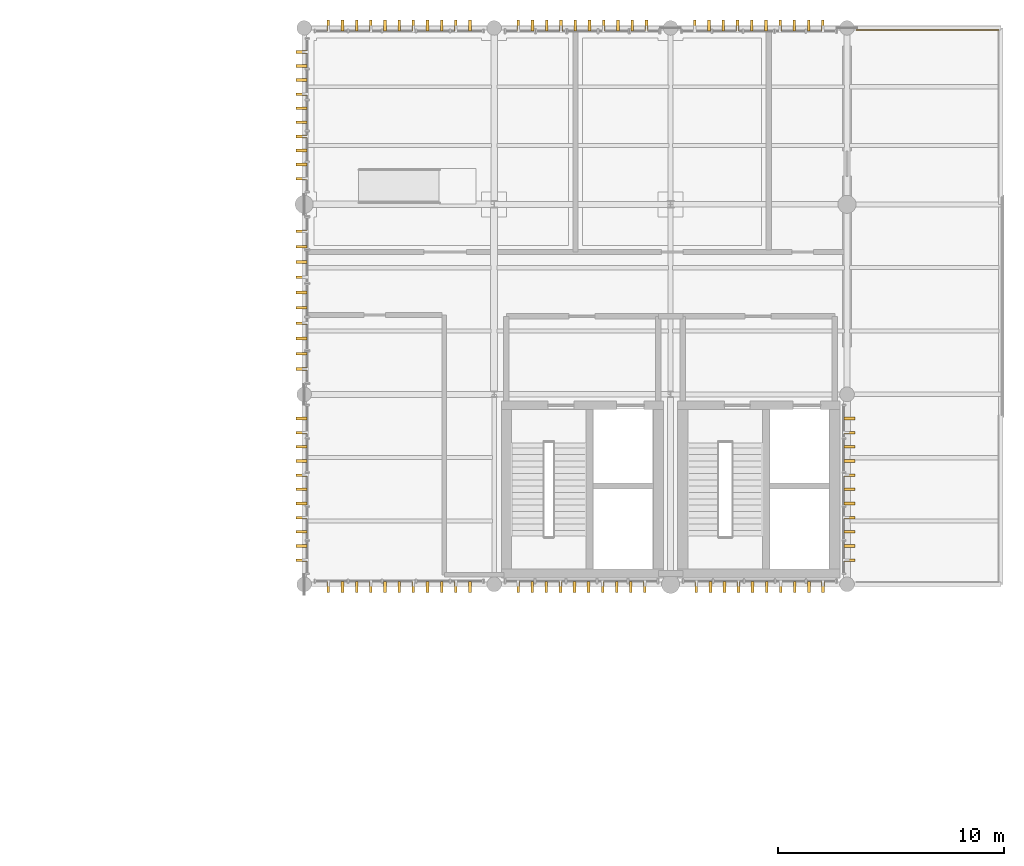
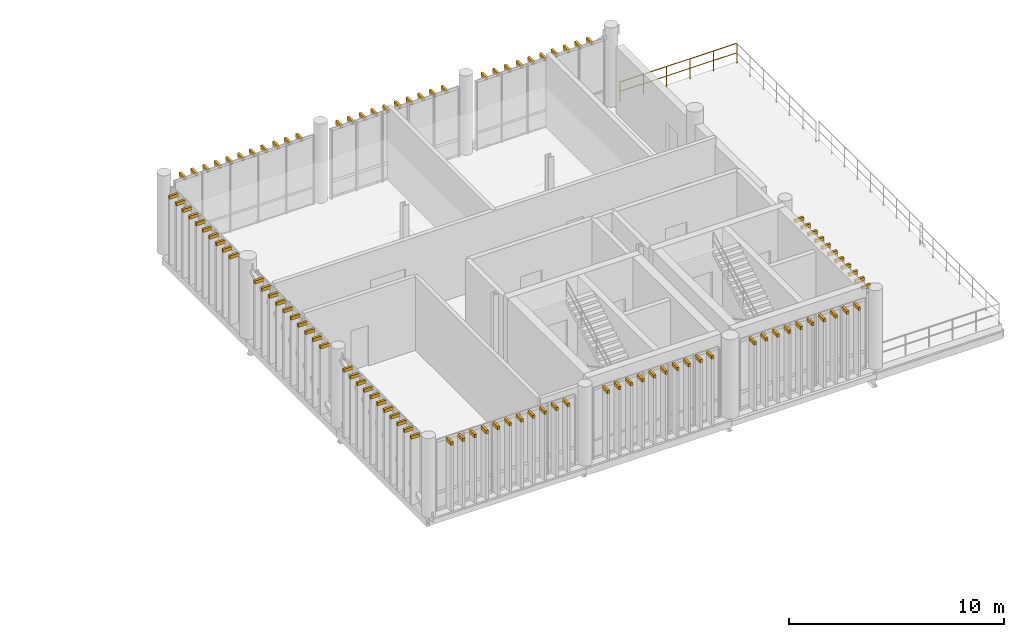
# One storey, part 19 of 19: 104 shading devices, 1 railing.
"""IFC4 building model written with IfcOpenShell, lengths in metres."""

from ifc_helpers import new_model, si_unit, direction, frame, origin_with_axes, origin_2d_with_axis, place, context, subcontext, project, spatial, rectangle, circle, extrude, material, type_object, element, save


model = new_model("IFC4")

# Units and contexts
model_context = context("Model", 3, precision=1e-05, world=origin_with_axes(), true_north=direction((0.0, 1.0)))
body_context = subcontext(model_context, "Body", "Model", "MODEL_VIEW")
ifc_project = project(units=[si_unit("LENGTHUNIT", "METRE"), si_unit("AREAUNIT", "SQUARE_METRE"), si_unit("VOLUMEUNIT", "CUBIC_METRE"), si_unit("PLANEANGLEUNIT", "RADIAN"), si_unit("MASSUNIT", "GRAM", prefix="KILO"), si_unit("THERMODYNAMICTEMPERATUREUNIT", "KELVIN")], contexts=[model_context])

# Site, building, storey
site_placement = place(None, origin_with_axes())
site = spatial("IfcSite", under=ifc_project, at=site_placement, CompositionType="ELEMENT")
building_placement = place(site_placement, origin_with_axes())
building = spatial("IfcBuilding", under=site, at=building_placement, Name="Montbau Bow Law Courts", CompositionType="ELEMENT")
storey_placement = place(building_placement, frame((0.0, 0.0, 43.5), z_axis=(0.0, 0.0, 1.0), x_axis=(1.0, 0.0, 0.0)))
storey = spatial("IfcBuildingStorey", under=building, at=storey_placement, Name="L09", CompositionType="ELEMENT", Elevation=43.5)

# Railing
ifc_material_1 = material(Name="Brushed Stainless Steel AISI 316L Guardrail", Category="steel")
railing_type = type_object("IfcRailingType", Name="RL-GRD-1120", PredefinedType="GUARDRAIL", material=ifc_material_1)
railing_placement = place(None, origin_with_axes())
element("IfcRailing", 1, at=railing_placement, inside=storey, type_object=railing_type, Name="GRD-TER-L09-V5-2:rlg_0028", PredefinedType="GUARDRAIL", context=body_context, shape_type="SweptSolid", body=[
    extrude(circle(Radius=0.025, at=origin_2d_with_axis()), frame((163.02, 110.9, 44.622), z_axis=(1.0, 0.0, 0.0), x_axis=(0.0, 0.0, 1.0)), (0.0, 0.0, 1.0), 6.28),
    extrude(circle(Radius=0.022500000000000003, at=origin_2d_with_axis()), frame((163.02, 110.9, 44.0824), z_axis=(1.0, 0.0, 0.0), x_axis=(0.0, 0.0, 1.0)), (0.0, 0.0, 1.0), 6.28),
    extrude(circle(Radius=0.022500000000000003, at=origin_2d_with_axis()), frame((163.02, 110.9, 43.5), z_axis=(0.0, 0.0, 1.0), x_axis=(1.0, 0.0, 0.0)), (0.0, 0.0, 1.0), 1.0925),
    extrude(circle(Radius=0.022500000000000003, at=origin_2d_with_axis()), frame((164.276, 110.9, 43.5), z_axis=(0.0, 0.0, 1.0), x_axis=(1.0, 0.0, 0.0)), (0.0, 0.0, 1.0), 1.0925),
    extrude(circle(Radius=0.022500000000000003, at=origin_2d_with_axis()), frame((165.532, 110.9, 43.5), z_axis=(0.0, 0.0, 1.0), x_axis=(1.0, 0.0, 0.0)), (0.0, 0.0, 1.0), 1.0925),
    extrude(circle(Radius=0.022500000000000003, at=origin_2d_with_axis()), frame((166.788, 110.9, 43.5), z_axis=(0.0, 0.0, 1.0), x_axis=(1.0, 0.0, 0.0)), (0.0, 0.0, 1.0), 1.0925),
    extrude(circle(Radius=0.022500000000000003, at=origin_2d_with_axis()), frame((168.044, 110.9, 43.5), z_axis=(0.0, 0.0, 1.0), x_axis=(1.0, 0.0, 0.0)), (0.0, 0.0, 1.0), 1.0925),
    extrude(circle(Radius=0.022500000000000003, at=origin_2d_with_axis()), frame((169.3, 110.9, 43.5), z_axis=(0.0, 0.0, 1.0), x_axis=(1.0, 0.0, 0.0)), (0.0, 0.0, 1.0), 1.0925),
])

# Shading devices
ifc_material_2 = material(Name="Freeze-Thaw Glazed Slate-Grey Ceramic Vertical Louvre", Category="masonry")
shading_device_type = type_object("IfcShadingDeviceType", Name="SH-LVR-SLT", PredefinedType="USERDEFINED", material=ifc_material_2)
for number, where, z_axis, x_axis, name in (
    (2, (139.667, 86.29, 47.24), (0.0, 0.0, 1.0), (0.0, -1.0, 0.0), "LVR-L09-3370:shd_3370"),
    (3, (140.293, 86.29, 47.24), (0.0, 0.0, 1.0), (0.0, -1.0, 0.0), "LVR-L09-3371:shd_3371"),
    (4, (140.92, 86.29, 47.24), (0.0, 0.0, 1.0), (0.0, -1.0, 0.0), "LVR-L09-3372:shd_3372"),
    (5, (141.547, 86.29, 47.24), (0.0, 0.0, 1.0), (0.0, -1.0, 0.0), "LVR-L09-3373:shd_3373"),
    (6, (142.173, 86.29, 47.24), (0.0, 0.0, 1.0), (0.0, -1.0, 0.0), "LVR-L09-3374:shd_3374"),
    (7, (142.8, 86.29, 47.24), (0.0, 0.0, 1.0), (0.0, -1.0, 0.0), "LVR-L09-3375:shd_3375"),
    (8, (143.427, 86.29, 47.24), (0.0, 0.0, 1.0), (0.0, -1.0, 0.0), "LVR-L09-3376:shd_3376"),
    (9, (144.053, 86.29, 47.24), (0.0, 0.0, 1.0), (0.0, -1.0, 0.0), "LVR-L09-3377:shd_3377"),
    (10, (144.68, 86.29, 47.24), (0.0, 0.0, 1.0), (0.0, -1.0, 0.0), "LVR-L09-3378:shd_3378"),
    (11, (145.307, 86.29, 47.24), (0.0, 0.0, 1.0), (0.0, -1.0, 0.0), "LVR-L09-3379:shd_3379"),
    (12, (145.933, 86.29, 47.24), (0.0, 0.0, 1.0), (0.0, -1.0, 0.0), "LVR-L09-3380:shd_3380"),
    (13, (148.062, 86.29, 47.24), (0.0, 0.0, 1.0), (0.0, -1.0, 0.0), "LVR-L09-3381:shd_3381"),
    (14, (148.685, 86.29, 47.24), (0.0, 0.0, 1.0), (0.0, -1.0, 0.0), "LVR-L09-3382:shd_3382"),
    (15, (149.307, 86.29, 47.24), (0.0, 0.0, 1.0), (0.0, -1.0, 0.0), "LVR-L09-3383:shd_3383"),
    (16, (149.929, 86.29, 47.24), (0.0, 0.0, 1.0), (0.0, -1.0, 0.0), "LVR-L09-3384:shd_3384"),
    (17, (150.551, 86.29, 47.24), (0.0, 0.0, 1.0), (0.0, -1.0, 0.0), "LVR-L09-3385:shd_3385"),
    (18, (151.174, 86.29, 47.24), (0.0, 0.0, 1.0), (0.0, -1.0, 0.0), "LVR-L09-3386:shd_3386"),
    (19, (151.796, 86.29, 47.24), (0.0, 0.0, 1.0), (0.0, -1.0, 0.0), "LVR-L09-3387:shd_3387"),
    (20, (152.418, 86.29, 47.24), (0.0, 0.0, 1.0), (0.0, -1.0, 0.0), "LVR-L09-3388:shd_3388"),
    (21, (153.04, 86.29, 47.24), (0.0, 0.0, 1.0), (0.0, -1.0, 0.0), "LVR-L09-3389:shd_3389"),
    (22, (153.663, 86.29, 47.24), (0.0, 0.0, 1.0), (0.0, -1.0, 0.0), "LVR-L09-3390:shd_3390"),
    (23, (155.937, 86.29, 47.24), (0.0, 0.0, 1.0), (0.0, -1.0, 0.0), "LVR-L09-3391:shd_3391"),
    (24, (156.56, 86.29, 47.24), (0.0, 0.0, 1.0), (0.0, -1.0, 0.0), "LVR-L09-3392:shd_3392"),
    (25, (157.182, 86.29, 47.24), (0.0, 0.0, 1.0), (0.0, -1.0, 0.0), "LVR-L09-3393:shd_3393"),
    (26, (157.804, 86.29, 47.24), (0.0, 0.0, 1.0), (0.0, -1.0, 0.0), "LVR-L09-3394:shd_3394"),
    (27, (158.426, 86.29, 47.24), (0.0, 0.0, 1.0), (0.0, -1.0, 0.0), "LVR-L09-3395:shd_3395"),
    (28, (159.049, 86.29, 47.24), (0.0, 0.0, 1.0), (0.0, -1.0, 0.0), "LVR-L09-3396:shd_3396"),
    (29, (159.671, 86.29, 47.24), (0.0, 0.0, 1.0), (0.0, -1.0, 0.0), "LVR-L09-3397:shd_3397"),
    (30, (160.293, 86.29, 47.24), (0.0, 0.0, 1.0), (0.0, -1.0, 0.0), "LVR-L09-3398:shd_3398"),
    (31, (160.915, 86.29, 47.24), (0.0, 0.0, 1.0), (0.0, -1.0, 0.0), "LVR-L09-3399:shd_3399"),
    (32, (161.538, 86.29, 47.24), (0.0, 0.0, 1.0), (0.0, -1.0, 0.0), "LVR-L09-3400:shd_3400"),
    (33, (139.667, 111.11, 47.24), (0.0, 0.0, 1.0), (0.0, 1.0, 0.0), "LVR-L09-3401:shd_3401"),
    (34, (140.293, 111.11, 47.24), (0.0, 0.0, 1.0), (0.0, 1.0, 0.0), "LVR-L09-3402:shd_3402"),
    (35, (140.92, 111.11, 47.24), (0.0, 0.0, 1.0), (0.0, 1.0, 0.0), "LVR-L09-3403:shd_3403"),
    (36, (141.547, 111.11, 47.24), (0.0, 0.0, 1.0), (0.0, 1.0, 0.0), "LVR-L09-3404:shd_3404"),
    (37, (142.173, 111.11, 47.24), (0.0, 0.0, 1.0), (0.0, 1.0, 0.0), "LVR-L09-3405:shd_3405"),
    (38, (142.8, 111.11, 47.24), (0.0, 0.0, 1.0), (0.0, 1.0, 0.0), "LVR-L09-3406:shd_3406"),
    (39, (143.427, 111.11, 47.24), (0.0, 0.0, 1.0), (0.0, 1.0, 0.0), "LVR-L09-3407:shd_3407"),
    (40, (144.053, 111.11, 47.24), (0.0, 0.0, 1.0), (0.0, 1.0, 0.0), "LVR-L09-3408:shd_3408"),
    (41, (144.68, 111.11, 47.24), (0.0, 0.0, 1.0), (0.0, 1.0, 0.0), "LVR-L09-3409:shd_3409"),
    (42, (145.307, 111.11, 47.24), (0.0, 0.0, 1.0), (0.0, 1.0, 0.0), "LVR-L09-3410:shd_3410"),
    (43, (145.933, 111.11, 47.24), (0.0, 0.0, 1.0), (0.0, 1.0, 0.0), "LVR-L09-3411:shd_3411"),
    (44, (148.069, 111.11, 47.24), (0.0, 0.0, 1.0), (0.0, 1.0, 0.0), "LVR-L09-3412:shd_3412"),
    (45, (148.698, 111.11, 47.24), (0.0, 0.0, 1.0), (0.0, 1.0, 0.0), "LVR-L09-3413:shd_3413"),
    (46, (149.327, 111.11, 47.24), (0.0, 0.0, 1.0), (0.0, 1.0, 0.0), "LVR-L09-3414:shd_3414"),
    (47, (149.956, 111.11, 47.24), (0.0, 0.0, 1.0), (0.0, 1.0, 0.0), "LVR-L09-3415:shd_3415"),
    (48, (150.585, 111.11, 47.24), (0.0, 0.0, 1.0), (0.0, 1.0, 0.0), "LVR-L09-3416:shd_3416"),
    (49, (151.215, 111.11, 47.24), (0.0, 0.0, 1.0), (0.0, 1.0, 0.0), "LVR-L09-3417:shd_3417"),
    (50, (151.844, 111.11, 47.24), (0.0, 0.0, 1.0), (0.0, 1.0, 0.0), "LVR-L09-3418:shd_3418"),
    (51, (152.473, 111.11, 47.24), (0.0, 0.0, 1.0), (0.0, 1.0, 0.0), "LVR-L09-3419:shd_3419"),
    (52, (153.102, 111.11, 47.24), (0.0, 0.0, 1.0), (0.0, 1.0, 0.0), "LVR-L09-3420:shd_3420"),
    (53, (153.731, 111.11, 47.24), (0.0, 0.0, 1.0), (0.0, 1.0, 0.0), "LVR-L09-3421:shd_3421"),
    (54, (155.869, 111.11, 47.24), (0.0, 0.0, 1.0), (0.0, 1.0, 0.0), "LVR-L09-3422:shd_3422"),
    (55, (156.498, 111.11, 47.24), (0.0, 0.0, 1.0), (0.0, 1.0, 0.0), "LVR-L09-3423:shd_3423"),
    (56, (157.127, 111.11, 47.24), (0.0, 0.0, 1.0), (0.0, 1.0, 0.0), "LVR-L09-3424:shd_3424"),
    (57, (157.756, 111.11, 47.24), (0.0, 0.0, 1.0), (0.0, 1.0, 0.0), "LVR-L09-3425:shd_3425"),
    (58, (158.385, 111.11, 47.24), (0.0, 0.0, 1.0), (0.0, 1.0, 0.0), "LVR-L09-3426:shd_3426"),
    (59, (159.015, 111.11, 47.24), (0.0, 0.0, 1.0), (0.0, 1.0, 0.0), "LVR-L09-3427:shd_3427"),
    (60, (159.644, 111.11, 47.24), (0.0, 0.0, 1.0), (0.0, 1.0, 0.0), "LVR-L09-3428:shd_3428"),
    (61, (160.273, 111.11, 47.24), (0.0, 0.0, 1.0), (0.0, 1.0, 0.0), "LVR-L09-3429:shd_3429"),
    (62, (160.902, 111.11, 47.24), (0.0, 0.0, 1.0), (0.0, 1.0, 0.0), "LVR-L09-3430:shd_3430"),
    (63, (161.531, 111.11, 47.24), (0.0, 0.0, 1.0), (0.0, 1.0, 0.0), "LVR-L09-3431:shd_3431"),
    (64, (138.49, 87.467, 47.24), (0.0, 0.0, 1.0), (-1.0, 0.0, 0.0), "LVR-L09-3432:shd_3432"),
    (65, (138.49, 88.093, 47.24), (0.0, 0.0, 1.0), (-1.0, 0.0, 0.0), "LVR-L09-3433:shd_3433"),
    (66, (138.49, 88.72, 47.24), (0.0, 0.0, 1.0), (-1.0, 0.0, 0.0), "LVR-L09-3434:shd_3434"),
    (67, (138.49, 89.347, 47.24), (0.0, 0.0, 1.0), (-1.0, 0.0, 0.0), "LVR-L09-3435:shd_3435"),
    (68, (138.49, 89.973, 47.24), (0.0, 0.0, 1.0), (-1.0, 0.0, 0.0), "LVR-L09-3436:shd_3436"),
    (69, (138.49, 90.6, 47.24), (0.0, 0.0, 1.0), (-1.0, 0.0, 0.0), "LVR-L09-3437:shd_3437"),
    (70, (138.49, 91.227, 47.24), (0.0, 0.0, 1.0), (-1.0, 0.0, 0.0), "LVR-L09-3438:shd_3438"),
    (71, (138.49, 91.853, 47.24), (0.0, 0.0, 1.0), (-1.0, 0.0, 0.0), "LVR-L09-3439:shd_3439"),
    (72, (138.49, 92.48, 47.24), (0.0, 0.0, 1.0), (-1.0, 0.0, 0.0), "LVR-L09-3440:shd_3440"),
    (73, (138.49, 93.107, 47.24), (0.0, 0.0, 1.0), (-1.0, 0.0, 0.0), "LVR-L09-3441:shd_3441"),
    (74, (138.49, 93.733, 47.24), (0.0, 0.0, 1.0), (-1.0, 0.0, 0.0), "LVR-L09-3442:shd_3442"),
    (75, (138.49, 95.917, 47.24), (0.0, 0.0, 1.0), (-1.0, 0.0, 0.0), "LVR-L09-3443:shd_3443"),
    (76, (138.49, 96.594, 47.24), (0.0, 0.0, 1.0), (-1.0, 0.0, 0.0), "LVR-L09-3444:shd_3444"),
    (77, (138.49, 97.27, 47.24), (0.0, 0.0, 1.0), (-1.0, 0.0, 0.0), "LVR-L09-3445:shd_3445"),
    (78, (138.49, 97.947, 47.24), (0.0, 0.0, 1.0), (-1.0, 0.0, 0.0), "LVR-L09-3446:shd_3446"),
    (79, (138.49, 98.624, 47.24), (0.0, 0.0, 1.0), (-1.0, 0.0, 0.0), "LVR-L09-3447:shd_3447"),
    (80, (138.49, 99.301, 47.24), (0.0, 0.0, 1.0), (-1.0, 0.0, 0.0), "LVR-L09-3448:shd_3448"),
    (81, (138.49, 99.978, 47.24), (0.0, 0.0, 1.0), (-1.0, 0.0, 0.0), "LVR-L09-3449:shd_3449"),
    (82, (138.49, 100.655, 47.24), (0.0, 0.0, 1.0), (-1.0, 0.0, 0.0), "LVR-L09-3450:shd_3450"),
    (83, (138.49, 101.331, 47.24), (0.0, 0.0, 1.0), (-1.0, 0.0, 0.0), "LVR-L09-3451:shd_3451"),
    (84, (138.49, 102.008, 47.24), (0.0, 0.0, 1.0), (-1.0, 0.0, 0.0), "LVR-L09-3452:shd_3452"),
    (85, (138.49, 104.337, 47.24), (0.0, 0.0, 1.0), (-1.0, 0.0, 0.0), "LVR-L09-3453:shd_3453"),
    (86, (138.49, 104.96, 47.24), (0.0, 0.0, 1.0), (-1.0, 0.0, 0.0), "LVR-L09-3454:shd_3454"),
    (87, (138.49, 105.582, 47.24), (0.0, 0.0, 1.0), (-1.0, 0.0, 0.0), "LVR-L09-3455:shd_3455"),
    (88, (138.49, 106.204, 47.24), (0.0, 0.0, 1.0), (-1.0, 0.0, 0.0), "LVR-L09-3456:shd_3456"),
    (89, (138.49, 106.826, 47.24), (0.0, 0.0, 1.0), (-1.0, 0.0, 0.0), "LVR-L09-3457:shd_3457"),
    (90, (138.49, 107.449, 47.24), (0.0, 0.0, 1.0), (-1.0, 0.0, 0.0), "LVR-L09-3458:shd_3458"),
    (91, (138.49, 108.071, 47.24), (0.0, 0.0, 1.0), (-1.0, 0.0, 0.0), "LVR-L09-3459:shd_3459"),
    (92, (138.49, 108.693, 47.24), (0.0, 0.0, 1.0), (-1.0, 0.0, 0.0), "LVR-L09-3460:shd_3460"),
    (93, (138.49, 109.315, 47.24), (0.0, 0.0, 1.0), (-1.0, 0.0, 0.0), "LVR-L09-3461:shd_3461"),
    (94, (138.49, 109.938, 47.24), (0.0, 0.0, 1.0), (-1.0, 0.0, 0.0), "LVR-L09-3462:shd_3462"),
    (95, (162.71, 87.467, 47.24), (0.0, 0.0, 1.0), (1.0, 0.0, 0.0), "LVR-L09-3463:shd_3463"),
    (96, (162.71, 88.093, 47.24), (0.0, 0.0, 1.0), (1.0, 0.0, 0.0), "LVR-L09-3464:shd_3464"),
    (97, (162.71, 88.72, 47.24), (0.0, 0.0, 1.0), (1.0, 0.0, 0.0), "LVR-L09-3465:shd_3465"),
    (98, (162.71, 89.347, 47.24), (0.0, 0.0, 1.0), (1.0, 0.0, 0.0), "LVR-L09-3466:shd_3466"),
    (99, (162.71, 89.973, 47.24), (0.0, 0.0, 1.0), (1.0, 0.0, 0.0), "LVR-L09-3467:shd_3467"),
    (100, (162.71, 90.6, 47.24), (0.0, 0.0, 1.0), (1.0, 0.0, 0.0), "LVR-L09-3468:shd_3468"),
    (101, (162.71, 91.227, 47.24), (0.0, 0.0, 1.0), (1.0, 0.0, 0.0), "LVR-L09-3469:shd_3469"),
    (102, (162.71, 91.853, 47.24), (0.0, 0.0, 1.0), (1.0, 0.0, 0.0), "LVR-L09-3470:shd_3470"),
    (103, (162.71, 92.48, 47.24), (0.0, 0.0, 1.0), (1.0, 0.0, 0.0), "LVR-L09-3471:shd_3471"),
    (104, (162.71, 93.107, 47.24), (0.0, 0.0, 1.0), (1.0, 0.0, 0.0), "LVR-L09-3472:shd_3472"),
    (105, (162.71, 93.733, 47.24), (0.0, 0.0, 1.0), (1.0, 0.0, 0.0), "LVR-L09-3473:shd_3473"),
):
    element("IfcShadingDevice", number, at=place(None, frame(where, z_axis=z_axis, x_axis=x_axis)), inside=storey, type_object=shading_device_type, Name=name, ObjectType="LOUVRE", PredefinedType="USERDEFINED", context=body_context, shape_type="SweptSolid", body=[
        extrude(rectangle(XDim=0.48, YDim=0.12, at=origin_2d_with_axis()), origin_with_axes(), (0.0, 0.0, 1.0), 0.18),
    ])

save(model, "model.ifc")
